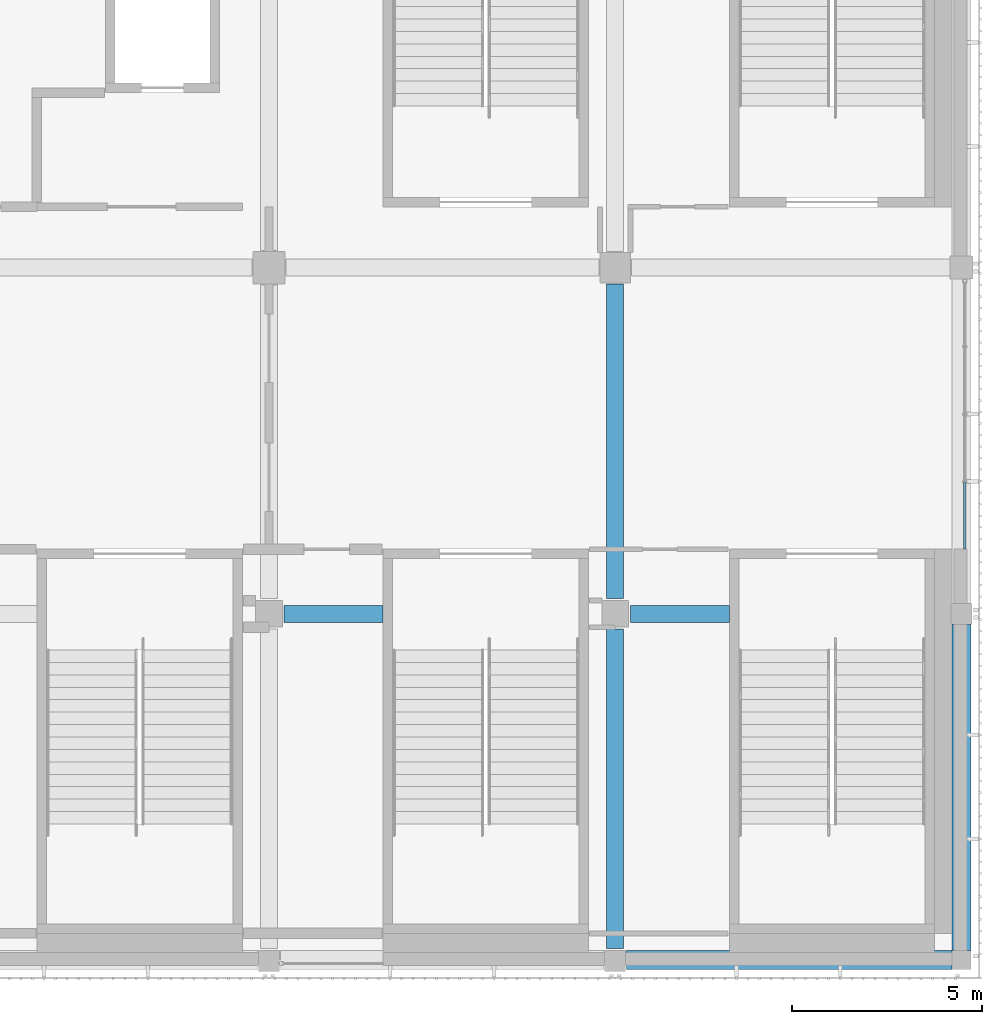
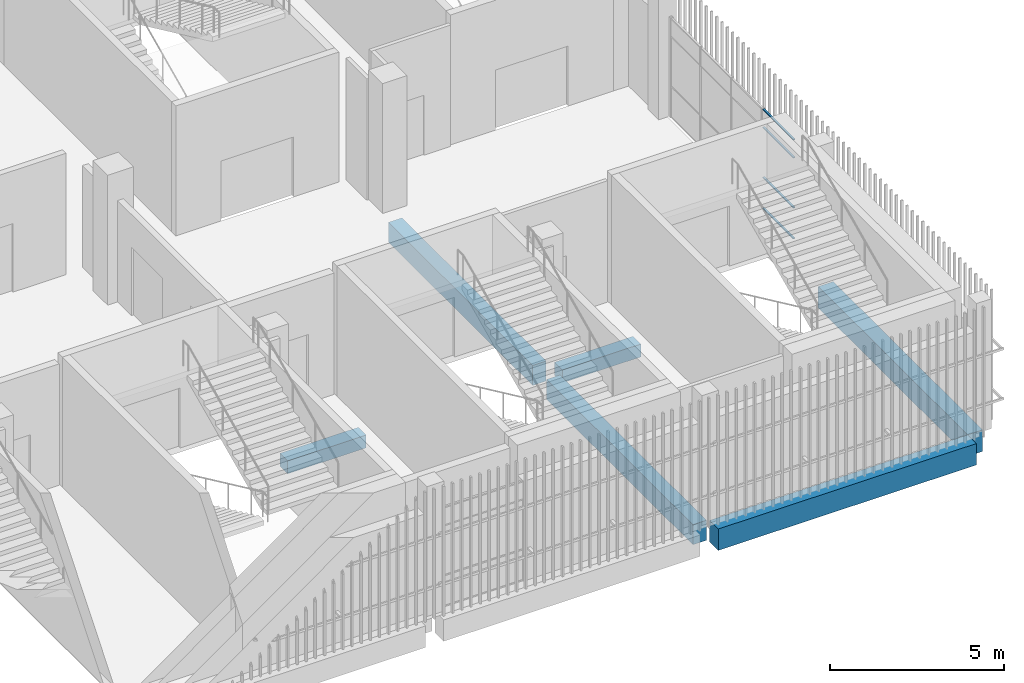
# One storey, part 47 of 126: 6 beams, 4 members, 1 element without a shape of its own.
"""IFC4 building model written with IfcOpenShell, lengths in metres."""

import ifcopenshell
import ifcopenshell.guid

model = None  # the IFC model being written
_history = None  # IfcOwnerHistory: only IFC2X3 demands one
_inside = {}  # id of a spatial element -> (the spatial element, [elements in it])
_under = {}  # id of a project, library or spatial element -> (it, [spatial elements below it])
_declared = {}  # id of a project -> (the project, [libraries it declares])
_typed = {}  # id of a type object -> (the type object, [elements of that type])
_made_of = {}  # id of a material, layer set ... -> (it, [elements and type objects made of it])


def new_model(schema):
    """Start an empty IFC model of exactly this schema.

    Asked for "IFC4X3", IfcOpenShell would pick the latest addendum, in which some entities
    have other attributes; the version numbers below select the first issue.
    IFC2X3 requires an IfcOwnerHistory on every rooted entity: one is made here for all.
    """
    global model, _history
    if schema == "IFC4X3":
        model = ifcopenshell.file(schema_version=(4, 3, 0, 0))
    else:
        model = ifcopenshell.file(schema=schema)
    _inside.clear()
    _under.clear()
    _declared.clear()
    _typed.clear()
    _made_of.clear()
    _history = None
    if model.schema == "IFC2X3":
        org = make("IfcOrganization", Name="unknown")
        user = make(
            "IfcPersonAndOrganization",
            ThePerson=make("IfcPerson", FamilyName="unknown"),
            TheOrganization=org,
        )
        app = make(
            "IfcApplication",
            ApplicationDeveloper=org,
            Version="unknown",
            ApplicationFullName="unknown",
            ApplicationIdentifier="unknown",
        )
        _history = make(
            "IfcOwnerHistory",
            OwningUser=user,
            OwningApplication=app,
            ChangeAction="ADDED",
            CreationDate=0,
        )
    return model


def make(cls, **values):
    """One entity of the class cls with the attributes given. An attribute that is None is left unset."""
    return model.create_entity(
        cls, **{name: value for name, value in values.items() if value is not None}
    )


def rooted(cls, **values):
    """An entity with a GlobalId (a new one), such as an element, a storey or a relation."""
    return make(cls, GlobalId=ifcopenshell.guid.new(), OwnerHistory=_history, **values)


def si_unit(unit_type, name, prefix=None):
    """IfcSIUnit, for example si_unit("LENGTHUNIT", "METRE", prefix="MILLI")."""
    return make("IfcSIUnit", UnitType=unit_type, Prefix=prefix, Name=name)


def assignment(units):
    """IfcUnitAssignment: the units of a project."""
    return None if units is None else make("IfcUnitAssignment", Units=units)


def point(xyz):
    """IfcCartesianPoint."""
    return None if xyz is None else make("IfcCartesianPoint", Coordinates=xyz)


def direction(xyz):
    """IfcDirection."""
    return None if xyz is None else make("IfcDirection", DirectionRatios=xyz)


def frame(location, z_axis=None, x_axis=None):
    """IfcAxis2Placement3D, a coordinate frame: its origin and axes. An axis left out is left unset."""
    return make(
        "IfcAxis2Placement3D",
        Location=point(location),
        Axis=direction(z_axis),
        RefDirection=direction(x_axis),
    )


def frame_2d(location, x_axis=None):
    """IfcAxis2Placement2D, a coordinate frame in the plane: its origin and x axis."""
    return make(
        "IfcAxis2Placement2D", Location=point(location), RefDirection=direction(x_axis)
    )


def origin():
    """The frame at (0, 0, 0) with its axes left unset."""
    return frame((0.0, 0.0, 0.0))


def origin_2d():
    """The frame at (0, 0) in the plane with its x axis left unset."""
    return frame_2d((0.0, 0.0))


def place(relative_to, where):
    """IfcLocalPlacement: puts the frame where relative to a parent placement (None: the world)."""
    return make(
        "IfcLocalPlacement", PlacementRelTo=relative_to, RelativePlacement=where
    )


def context(
    kind, dimensions, precision=None, world=None, true_north=None, identifier=None
):
    """IfcGeometricRepresentationContext, for example the 3D "Model" context."""
    return make(
        "IfcGeometricRepresentationContext",
        ContextIdentifier=identifier,
        ContextType=kind,
        CoordinateSpaceDimension=dimensions,
        Precision=precision,
        WorldCoordinateSystem=world,
        TrueNorth=true_north,
    )


def subcontext(parent, identifier, kind, view, scale=None):
    """IfcGeometricRepresentationSubContext, for example "Body" below "Model"."""
    return make(
        "IfcGeometricRepresentationSubContext",
        ContextIdentifier=identifier,
        ContextType=kind,
        ParentContext=parent,
        TargetScale=scale,
        TargetView=view,
    )


def project(units=None, contexts=None):
    """IfcProject with its units and contexts."""
    return rooted(
        "IfcProject",
        Name="project",
        RepresentationContexts=contexts,
        UnitsInContext=assignment(units),
    )


def spatial(cls, under=None, at=None, **own):
    """A site, building, storey or space (cls), placed at a placement, below another one or the project."""
    s = rooted(cls, ObjectPlacement=at, **own)
    if under is not None:
        _under.setdefault(under.id(), (under, []))[1].append(s)
    return s


def profile(cls, at=None, kind="AREA", **sizes):
    """A parametric profile (cls). Its sizes go by their IFC names, for example OverallWidth=200.0."""
    return make(cls, ProfileType=kind, Position=at, **sizes)


def rectangle(**sizes):
    """IfcRectangleProfileDef."""
    return profile("IfcRectangleProfileDef", **sizes)


def hollow_rectangle(**sizes):
    """IfcRectangleHollowProfileDef."""
    return profile("IfcRectangleHollowProfileDef", **sizes)


def extrude(swept, where, along, depth):
    """IfcExtrudedAreaSolid: the profile swept, set in the frame where, extruded along a direction by depth."""
    return make(
        "IfcExtrudedAreaSolid",
        SweptArea=swept,
        Position=where,
        ExtrudedDirection=direction(along),
        Depth=depth,
    )


def shape(context_of_items, identifier, shape_type, items):
    """IfcShapeRepresentation: the items that make up one representation, for example the "Body"."""
    return make(
        "IfcShapeRepresentation",
        ContextOfItems=context_of_items,
        RepresentationIdentifier=identifier,
        RepresentationType=shape_type,
        Items=items,
    )


def material(Name=None, Category=None):
    """IfcMaterial."""
    return make("IfcMaterial", Name=Name, Category=Category)


def layer(
    of_material, thickness, ventilated=None, Name=None, Category=None, Priority=None
):
    """IfcMaterialLayer: one layer of a wall or slab, of a material (None: an air gap)."""
    return make(
        "IfcMaterialLayer",
        Material=of_material,
        LayerThickness=thickness,
        IsVentilated=ventilated,
        Name=Name,
        Category=Category,
        Priority=Priority,
    )


def layer_set(layers, Name=None):
    """IfcMaterialLayerSet."""
    return make("IfcMaterialLayerSet", MaterialLayers=layers, LayerSetName=Name)


def material_profile(
    of_material, cross_section, Name=None, Category=None, Priority=None
):
    """IfcMaterialProfile: a cross section and its material."""
    return make(
        "IfcMaterialProfile",
        Name=Name,
        Material=of_material,
        Profile=cross_section,
        Priority=Priority,
        Category=Category,
    )


def profile_set(profiles, Name=None, composite=None):
    """IfcMaterialProfileSet."""
    return make(
        "IfcMaterialProfileSet",
        Name=Name,
        MaterialProfiles=profiles,
        CompositeProfile=composite,
    )


def made_of(thing, what):
    """Note that an element or type object is made of a material, layer set ...; save() writes the relation."""
    if what is not None:
        _made_of.setdefault(what.id(), (what, []))[1].append(thing)
    return thing


def type_object(cls, material=None, **own):
    """A type object (cls), such as IfcWallType, which elements share."""
    return made_of(rooted(cls, **own), material)


def element(
    cls,
    number,
    at=None,
    inside=None,
    cuts=None,
    type_object=None,
    material=None,
    context=None,
    identifier="Body",
    shape_type=None,
    held_by="IfcProductDefinitionShape",
    body=None,
    shapes=None,
    **own,
):
    """One element of the class cls, such as IfcWall. Its Tag is "e" and its number.

    at: its placement. inside: the storey or other place that contains it. cuts: it is an
    opening in that element (IfcRelVoidsElement). A single representation is given by context,
    identifier, shape_type and body (its items); several are given by shapes. held_by: the class
    of the entity that holds the representations. save() writes the other relations.
    """
    e = rooted(cls, Tag="e%d" % number, ObjectPlacement=at, **own)
    if body is not None:
        shapes = [shape(context, identifier, shape_type, body)]
    if shapes is not None:
        e.Representation = make(held_by, Representations=shapes)
    if inside is not None:
        _inside.setdefault(inside.id(), (inside, []))[1].append(e)
    if cuts is not None:
        rooted(
            "IfcRelVoidsElement", RelatingBuildingElement=cuts, RelatedOpeningElement=e
        )
    if type_object is not None:
        _typed.setdefault(type_object.id(), (type_object, []))[1].append(e)
    return made_of(e, material)


def aggregate(whole, parts):
    """IfcRelAggregates: a whole, such as a stair, and the parts it consists of."""
    return rooted("IfcRelAggregates", RelatingObject=whole, RelatedObjects=parts)


def save(model, path):
    """Write the relations noted so far, then the file.

    IfcRelAggregates (storeys below a building ...), IfcRelContainedInSpatialStructure (elements
    in a storey), IfcRelDefinesByType, IfcRelAssociatesMaterial and IfcRelDeclares: one each for
    every whole, place, type object, material and project.
    """
    for whole, parts in _under.values():
        aggregate(whole, parts)
    for where, things in _inside.values():
        rooted(
            "IfcRelContainedInSpatialStructure",
            RelatedElements=things,
            RelatingStructure=where,
        )
    for kind, things in _typed.values():
        rooted("IfcRelDefinesByType", RelatedObjects=things, RelatingType=kind)
    for what, things in _made_of.values():
        rooted("IfcRelAssociatesMaterial", RelatedObjects=things, RelatingMaterial=what)
    for by, libraries in _declared.values():
        rooted("IfcRelDeclares", RelatingContext=by, RelatedDefinitions=libraries)
    model.write(path)


model = new_model("IFC4")

# Units and contexts
model_context = context("Model", 3, precision=1e-05, world=origin(), true_north=direction((0.0, 1.0)))
body_context = subcontext(model_context, "Body", "Model", "MODEL_VIEW")
ifc_project = project(units=[si_unit("LENGTHUNIT", "METRE"), si_unit("AREAUNIT", "SQUARE_METRE"), si_unit("VOLUMEUNIT", "CUBIC_METRE"), si_unit("PLANEANGLEUNIT", "RADIAN"), si_unit("MASSUNIT", "GRAM", prefix="KILO")], contexts=[model_context])

# Site, building, storey
site_placement = place(None, origin())
site = spatial("IfcSite", under=ifc_project, at=site_placement, CompositionType="ELEMENT")
building_placement = place(site_placement, origin())
building = spatial("IfcBuilding", under=site, at=building_placement, Name="Shirokan Park Arena", CompositionType="ELEMENT")
storey_placement = place(building_placement, frame((0.0, 0.0, 6.3701171875)))
storey = spatial("IfcBuildingStorey", under=building, at=storey_placement, Name="L01", CompositionType="ELEMENT", Elevation=6.3701171875)

# Beams
ifc_material_1 = material(Name="Concrete C35", Category="concrete")
ifc_material_profile_1 = material_profile(ifc_material_1, rectangle(XDim=0.449951171875, YDim=0.699951171875, at=origin_2d()), Name="450x700")
ifc_profile_set_1 = profile_set([ifc_material_profile_1], Name="Concrete C35")
beam_type_1 = type_object("IfcBeamType", Name="RC girder 450x700", PredefinedType="BEAM", material=ifc_profile_set_1)
beam_1_placement = place(storey_placement, frame((136.5, 0.300048828125, -0.7001953125), z_axis=(0.0, 1.0, 0.0), x_axis=(-1.0, 0.0, 0.0)))
element("IfcBeam", 1, at=beam_1_placement, inside=storey, type_object=beam_type_1, Name="Girder 16A-16B L01", PredefinedType="BEAM", context=body_context, shape_type="SweptSolid", body=[
    extrude(rectangle(XDim=0.449951171875, YDim=0.699951171875, at=origin_2d()), origin(), (0.0, 0.0, 1.0), 8.39990234375),
])
beam_2_placement = place(storey_placement, frame((136.5, 9.5, -0.7001953125), z_axis=(0.0, 1.0, 0.0), x_axis=(-1.0, 0.0, 0.0)))
element("IfcBeam", 2, at=beam_2_placement, inside=storey, type_object=beam_type_1, Name="Girder 16B-16C L01", PredefinedType="BEAM", context=body_context, shape_type="SweptSolid", body=[
    extrude(rectangle(XDim=0.449951171875, YDim=0.699951171875, at=origin_2d()), origin(), (0.0, 0.0, 1.0), 8.27490234375),
])
ifc_material_profile_2 = material_profile(ifc_material_1, rectangle(XDim=0.5, YDim=0.75, at=origin_2d()), Name="500x750")
ifc_profile_set_2 = profile_set([ifc_material_profile_2], Name="Concrete C35")
beam_type_2 = type_object("IfcBeamType", Name="RC girder 500x750", PredefinedType="BEAM", material=ifc_profile_set_2)
beam_3_placement = place(storey_placement, frame((136.800048828125, 0.0, -0.72509765625), z_axis=(1.0, 0.0, 0.0), x_axis=(0.0, 1.0, 0.0)))
element("IfcBeam", 3, at=beam_3_placement, inside=storey, type_object=beam_type_2, Name="Girder 16A-17A L01", PredefinedType="BEAM", context=body_context, shape_type="SweptSolid", body=[
    extrude(rectangle(XDim=0.5, YDim=0.75, at=origin_2d()), origin(), (0.0, 0.0, 1.0), 8.5498046875),
])
beam_4_placement = place(storey_placement, frame((145.60009765625, 0.25, -0.72509765625), z_axis=(0.0, 1.0, 0.0), x_axis=(-1.0, 0.0, 0.0)))
element("IfcBeam", 4, at=beam_4_placement, inside=storey, type_object=beam_type_2, Name="Girder 17A-17B L01", PredefinedType="BEAM", context=body_context, shape_type="SweptSolid", body=[
    extrude(rectangle(XDim=0.5, YDim=0.75, at=origin_2d()), origin(), (0.0, 0.0, 1.0), 8.574951171875),
])
ifc_material_profile_3 = material_profile(ifc_material_1, rectangle(XDim=0.449951171875, YDim=0.449951171875, at=origin_2d()), Name="450x450")
ifc_profile_set_3 = profile_set([ifc_material_profile_3], Name="Concrete C35")
beam_type_3 = type_object("IfcBeamType", Name="RC trimmer 450x450", PredefinedType="BEAM", material=ifc_profile_set_3)
for number, where, z_axis, x_axis, name in (
    (5, (127.800048828125, 9.10009765625, -0.5751953125), (1.0, 0.0, 0.0), (0.0, 1.0, 0.0), "Girder 15B-16B L01"),
    (6, (136.900146484375, 9.10009765625, -0.5751953125), (1.0, 0.0, 0.0), (0.0, 1.0, 0.0), "Girder 16B-17B L01"),
):
    element("IfcBeam", number, at=place(storey_placement, frame(where, z_axis=z_axis, x_axis=x_axis)), inside=storey, type_object=beam_type_3, Name=name, PredefinedType="BEAM", context=body_context, shape_type="SweptSolid", body=[
        extrude(rectangle(XDim=0.449951171875, YDim=0.449951171875, at=origin_2d()), origin(), (0.0, 0.0, 1.0), 2.599853515625),
    ])

# Curtain wall, members
ifc_material_2 = material(Name="Steel and glass curtain wall", Category="steel")
ifc_layer = layer(ifc_material_2, 0.1201171875)
ifc_layer_set = layer_set([ifc_layer], Name="Steel and glass curtain wall 120 mm")
curtain_wall_type = type_object("IfcCurtainWallType", Name="Curtain wall corner block side bay 120", PredefinedType="NOTDEFINED", material=ifc_layer_set)
curtain_wall_placement = place(storey_placement, origin())
curtain_wall = element("IfcCurtainWall", 7, at=curtain_wall_placement, inside=storey, type_object=curtain_wall_type, Name="Curtain wall east bay 2 L01", PredefinedType="NOTDEFINED")
ifc_material_3 = material(Name="Steel S355", Category="steel")
ifc_material_profile_4 = material_profile(ifc_material_3, hollow_rectangle(XDim=0.06005859375, YDim=0.0400390625, WallThickness=0.00390625, at=origin_2d()), Name="RHS 60x40x4")
ifc_profile_set_4 = profile_set([ifc_material_profile_4], Name="Steel S355")
member_type = type_object("IfcMemberType", Name="Transom RHS 60x40x4", PredefinedType="MULLION", material=ifc_profile_set_4)
member_1_placement = place(storey_placement, frame((145.68994140625, 10.800048828125, 0.019775390625), z_axis=(0.0, 1.0, 0.0), x_axis=(-1.0, 0.0, 0.0)))
member_1 = element("IfcMember", 8, at=member_1_placement, type_object=member_type, Name="CW3 transom 1.1", PredefinedType="MULLION", context=body_context, shape_type="SweptSolid", body=[
    extrude(hollow_rectangle(XDim=0.06005859375, YDim=0.0400390625, WallThickness=0.00390625, at=origin_2d()), origin(), (0.0, 0.0, 1.0), 1.75),
])
member_2_placement = place(storey_placement, frame((145.68994140625, 10.800048828125, 1.099853515625), z_axis=(0.0, 1.0, 0.0), x_axis=(-1.0, 0.0, 0.0)))
member_2 = element("IfcMember", 9, at=member_2_placement, type_object=member_type, Name="CW3 transom 1.2", PredefinedType="MULLION", context=body_context, shape_type="SweptSolid", body=[
    extrude(hollow_rectangle(XDim=0.06005859375, YDim=0.0400390625, WallThickness=0.00390625, at=origin_2d()), origin(), (0.0, 0.0, 1.0), 1.75),
])
member_3_placement = place(storey_placement, frame((145.68994140625, 10.800048828125, 2.849853515625), z_axis=(0.0, 1.0, 0.0), x_axis=(-1.0, 0.0, 0.0)))
member_3 = element("IfcMember", 10, at=member_3_placement, type_object=member_type, Name="CW3 transom 1.3", PredefinedType="MULLION", context=body_context, shape_type="SweptSolid", body=[
    extrude(hollow_rectangle(XDim=0.06005859375, YDim=0.0400390625, WallThickness=0.00390625, at=origin_2d()), origin(), (0.0, 0.0, 1.0), 1.75),
])
member_4_placement = place(storey_placement, frame((145.68994140625, 10.800048828125, 3.47998046875), z_axis=(0.0, 1.0, 0.0), x_axis=(-1.0, 0.0, 0.0)))
member_4 = element("IfcMember", 11, at=member_4_placement, type_object=member_type, Name="CW3 transom 1.4", PredefinedType="MULLION", context=body_context, shape_type="SweptSolid", body=[
    extrude(hollow_rectangle(XDim=0.06005859375, YDim=0.0400390625, WallThickness=0.00390625, at=origin_2d()), origin(), (0.0, 0.0, 1.0), 1.75),
])
aggregate(curtain_wall, [member_1, member_2, member_3, member_4])

save(model, "model.ifc")
